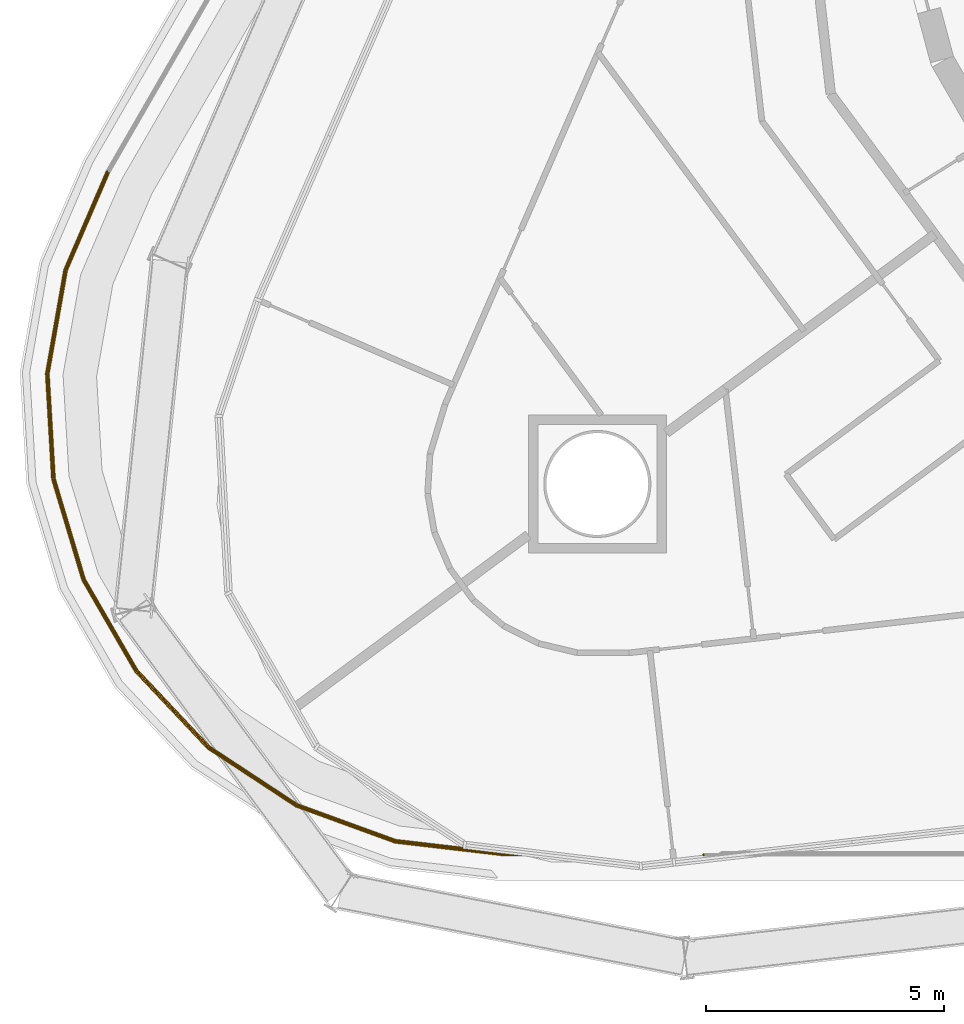
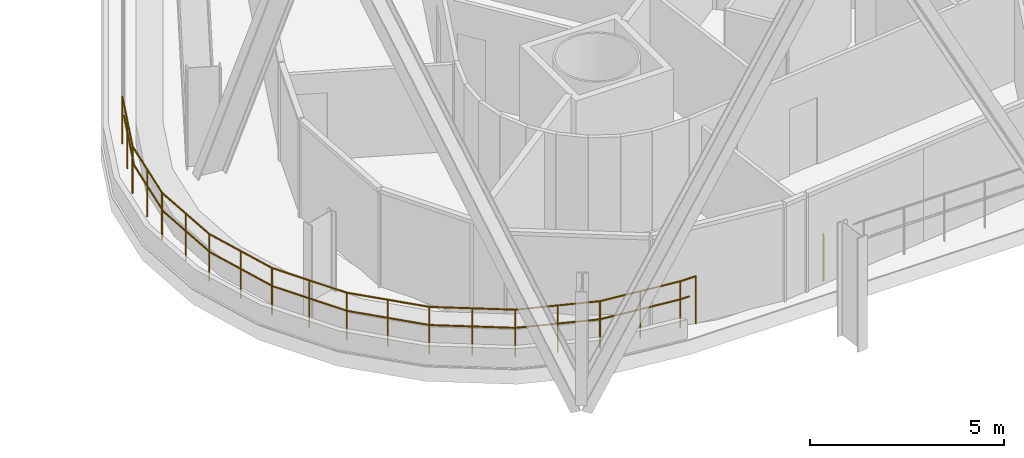
# One storey, part 23 of 32: 3 railings.
"""IFC4 building model written with IfcOpenShell, lengths in metres."""

from ifc_helpers import new_model, si_unit, direction, frame, origin, origin_2d, place, context, subcontext, project, spatial, circle, extrude, material, type_object, element, save


model = new_model("IFC4")

# Units and contexts
model_context = context("Model", 3, precision=1e-05, world=origin(), true_north=direction((0.0, 1.0)))
body_context = subcontext(model_context, "Body", "Model", "MODEL_VIEW")
ifc_project = project(units=[si_unit("LENGTHUNIT", "METRE"), si_unit("AREAUNIT", "SQUARE_METRE"), si_unit("VOLUMEUNIT", "CUBIC_METRE"), si_unit("PLANEANGLEUNIT", "RADIAN"), si_unit("MASSUNIT", "GRAM", prefix="KILO")], contexts=[model_context])

# Site, building, storey
site_placement = place(None, origin())
site = spatial("IfcSite", under=ifc_project, at=site_placement, CompositionType="ELEMENT")
building_placement = place(site_placement, origin())
building = spatial("IfcBuilding", under=site, at=building_placement, Name="Spindle Arch Residences", CompositionType="ELEMENT")
storey_placement = place(building_placement, frame((0.0, 0.0, 76.699951171875)))
storey = spatial("IfcBuildingStorey", under=building, at=storey_placement, Name="L17", CompositionType="ELEMENT", Elevation=76.699951171875)

# Railings
ifc_material_1 = material(Name="Bronze anodised aluminium guard with glass infill", Category="aluminium")
railing_type_1 = type_object("IfcRailingType", Name="Terrace guard 1500", PredefinedType="GUARDRAIL", material=ifc_material_1)
railing_1_placement = place(storey_placement, frame((-15.867431640625, -21.179931640625, 0.030029296875)))
element("IfcRailing", 1, at=railing_1_placement, inside=storey, type_object=railing_type_1, Name="Terrace guard L16 2", PredefinedType="GUARDRAIL", context=body_context, shape_type="SweptSolid", body=[
    extrude(circle(Radius=0.02392578125, at=origin_2d()), frame((0.0, 0.0, 1.47607421875), z_axis=(0.121054375311, -0.992645877551, 0.0), x_axis=(0.992645877551, 0.121054375311, 0.0)), (0.0, 0.0, 1.0), 0.010009765625),
    extrude(circle(Radius=0.02099609375, at=origin_2d()), origin(), (0.0, 0.0, 1.0), 1.451904296875),
    extrude(circle(Radius=0.02099609375, at=origin_2d()), frame((0.001220703125, -0.010009765625, 0.0)), (0.0, 0.0, 1.0), 1.451904296875),
])
railing_2_placement = place(storey_placement, frame((-19.658935546875, -21.189697265625, 0.030029296875)))
element("IfcRailing", 2, at=railing_2_placement, inside=storey, type_object=railing_type_1, Name="Terrace guard L16 3", PredefinedType="GUARDRAIL", context=body_context, shape_type="SweptSolid", body=[
    extrude(circle(Radius=0.02392578125, at=origin_2d()), frame((0.0, 0.0, 1.47607421875), z_axis=(0.242535625036, 0.970142500145, 0.0), x_axis=(-0.970142500145, 0.242535625036, 0.0)), (0.0, 0.0, 1.0), 0.010009765625),
    extrude(circle(Radius=0.02392578125, at=origin_2d()), frame((0.00244140625, 0.009765625, 1.47607421875), z_axis=(-1.0, 0.0, 0.0), x_axis=(0.0, -1.0, 0.0)), (0.0, 0.0, 1.0), 0.455078125),
    extrude(circle(Radius=0.02392578125, at=origin_2d()), frame((-0.45263671875, 0.009765625, 1.47607421875), z_axis=(-0.993242922767, 0.116053851179, 0.0), x_axis=(-0.116053851179, -0.993242922767, 0.0)), (0.0, 0.0, 1.0), 2.248779296875),
    extrude(circle(Radius=0.02392578125, at=origin_2d()), frame((-2.686279296875, 0.270751953125, 1.47607421875), z_axis=(-0.939658280141, 0.342114478738, 0.0), x_axis=(-0.342114478738, -0.939658280141, 0.0)), (0.0, 0.0, 1.0), 2.216552734375),
    extrude(circle(Radius=0.02392578125, at=origin_2d()), frame((-4.76904296875, 1.029052734375, 1.47607421875), z_axis=(-0.835524878478, 0.549452616196, 0.0), x_axis=(-0.549452616196, -0.835524878478, 0.0)), (0.0, 0.0, 1.0), 2.21630859375),
    extrude(circle(Radius=0.02392578125, at=origin_2d()), frame((-6.620849609375, 2.246826171875, 1.47607421875), z_axis=(-0.686209430892, 0.727404025941, 0.0), x_axis=(-0.727404025941, -0.686209430892, 0.0)), (0.0, 0.0, 1.0), 2.216552734375),
    extrude(circle(Radius=0.02392578125, at=origin_2d()), frame((-8.141845703125, 3.859130859375, 1.47607421875), z_axis=(-0.500024353964, 0.86601134256, 0.0), x_axis=(-0.86601134256, -0.500024353964, 0.0)), (0.0, 0.0, 1.0), 2.216796875),
    extrude(circle(Radius=0.02392578125, at=origin_2d()), frame((-9.250244140625, 5.77880859375, 1.47607421875), z_axis=(-0.286832459893, 0.957980761786, 0.0), x_axis=(-0.957980761786, -0.286832459893, 0.0)), (0.0, 0.0, 1.0), 2.21630859375),
    extrude(circle(Radius=0.02392578125, at=origin_2d()), frame((-9.885986328125, 7.902099609375, 1.47607421875), z_axis=(-0.058050457213, 0.998313650321, 0.0), x_axis=(-0.998313650321, -0.058050457213, 0.0)), (0.0, 0.0, 1.0), 2.21630859375),
    extrude(circle(Radius=0.02392578125, at=origin_2d()), frame((-10.0146484375, 10.11474609375, 1.47607421875), z_axis=(0.173590541613, 0.984817914065, 0.0), x_axis=(-0.984817914065, 0.173590541613, 0.0)), (0.0, 0.0, 1.0), 2.216552734375),
    extrude(circle(Radius=0.02392578125, at=origin_2d()), frame((-9.6298828125, 12.297607421875, 1.47607421875), z_axis=(0.39604085828, 0.918232889072, 0.0), x_axis=(-0.918232889072, 0.39604085828, 0.0)), (0.0, 0.0, 1.0), 2.248779296875),
    extrude(circle(Radius=0.02099609375, at=origin_2d()), origin(), (0.0, 0.0, 1.0), 1.451904296875),
    extrude(circle(Radius=0.02099609375, at=origin_2d()), frame((0.00244140625, 0.009765625, 0.0)), (0.0, 0.0, 1.0), 1.451904296875),
    extrude(circle(Radius=0.02099609375, at=origin_2d()), frame((-0.45263671875, 0.009765625, 0.0)), (0.0, 0.0, 1.0), 1.451904296875),
    extrude(circle(Radius=0.02099609375, at=origin_2d()), frame((-1.5693359375, 0.14013671875, 0.0)), (0.0, 0.0, 1.0), 1.451904296875),
    extrude(circle(Radius=0.02099609375, at=origin_2d()), frame((-2.686279296875, 0.270751953125, 0.0)), (0.0, 0.0, 1.0), 1.451904296875),
    extrude(circle(Radius=0.02099609375, at=origin_2d()), frame((-3.7275390625, 0.64990234375, 0.0)), (0.0, 0.0, 1.0), 1.451904296875),
    extrude(circle(Radius=0.02099609375, at=origin_2d()), frame((-4.76904296875, 1.029052734375, 0.0)), (0.0, 0.0, 1.0), 1.451904296875),
    extrude(circle(Radius=0.02099609375, at=origin_2d()), frame((-5.69482421875, 1.637939453125, 0.0)), (0.0, 0.0, 1.0), 1.451904296875),
    extrude(circle(Radius=0.02099609375, at=origin_2d()), frame((-6.620849609375, 2.246826171875, 0.0)), (0.0, 0.0, 1.0), 1.451904296875),
    extrude(circle(Radius=0.02099609375, at=origin_2d()), frame((-7.38134765625, 3.052978515625, 0.0)), (0.0, 0.0, 1.0), 1.451904296875),
    extrude(circle(Radius=0.02099609375, at=origin_2d()), frame((-8.141845703125, 3.859130859375, 0.0)), (0.0, 0.0, 1.0), 1.451904296875),
    extrude(circle(Radius=0.02099609375, at=origin_2d()), frame((-8.696044921875, 4.81884765625, 0.0)), (0.0, 0.0, 1.0), 1.451904296875),
    extrude(circle(Radius=0.02099609375, at=origin_2d()), frame((-9.250244140625, 5.77880859375, 0.0)), (0.0, 0.0, 1.0), 1.451904296875),
    extrude(circle(Radius=0.02099609375, at=origin_2d()), frame((-9.568115234375, 6.84033203125, 0.0)), (0.0, 0.0, 1.0), 1.451904296875),
    extrude(circle(Radius=0.02099609375, at=origin_2d()), frame((-9.885986328125, 7.902099609375, 0.0)), (0.0, 0.0, 1.0), 1.451904296875),
    extrude(circle(Radius=0.02099609375, at=origin_2d()), frame((-9.9501953125, 9.00830078125, 0.0)), (0.0, 0.0, 1.0), 1.451904296875),
    extrude(circle(Radius=0.02099609375, at=origin_2d()), frame((-10.0146484375, 10.11474609375, 0.0)), (0.0, 0.0, 1.0), 1.451904296875),
    extrude(circle(Radius=0.02099609375, at=origin_2d()), frame((-9.822265625, 11.2060546875, 0.0)), (0.0, 0.0, 1.0), 1.451904296875),
    extrude(circle(Radius=0.02099609375, at=origin_2d()), frame((-9.6298828125, 12.297607421875, 0.0)), (0.0, 0.0, 1.0), 1.451904296875),
    extrude(circle(Radius=0.02099609375, at=origin_2d()), frame((-9.1845703125, 13.330078125, 0.0)), (0.0, 0.0, 1.0), 1.451904296875),
    extrude(circle(Radius=0.02099609375, at=origin_2d()), frame((-8.7392578125, 14.362548828125, 0.0)), (0.0, 0.0, 1.0), 1.451904296875),
])
ifc_material_2 = material(Name="Bronze anodised aluminium handrail", Category="aluminium")
railing_type_2 = type_object("IfcRailingType", Name="Terrace handrail 900", PredefinedType="HANDRAIL", material=ifc_material_2)
railing_3_placement = place(storey_placement, frame((-19.833740234375, -21.147705078125, 0.030029296875)))
element("IfcRailing", 3, at=railing_3_placement, inside=storey, type_object=railing_type_2, Name="Terrace handrail L16 3", PredefinedType="HANDRAIL", context=body_context, shape_type="SweptSolid", body=[
    extrude(circle(Radius=0.02392578125, at=origin_2d()), frame((0.0, 0.0, 0.8759765625), z_axis=(0.219512195122, 0.975609756098, 0.0), x_axis=(-0.975609756098, 0.219512195122, 0.0)), (0.0, 0.0, 1.0), 0.010009765625),
    extrude(circle(Radius=0.02392578125, at=origin_2d()), frame((0.002197265625, 0.009765625, 0.8759765625), z_axis=(-1.0, 0.0, 0.0), x_axis=(0.0, -1.0, 0.0)), (0.0, 0.0, 1.0), 0.277587890625),
    extrude(circle(Radius=0.02392578125, at=origin_2d()), frame((-0.275390625, 0.009765625, 0.8759765625), z_axis=(-0.993236577172, 0.116108146865, 0.0), x_axis=(-0.116108146865, -0.993236577172, 0.0)), (0.0, 0.0, 1.0), 2.241455078125),
    extrude(circle(Radius=0.02392578125, at=origin_2d()), frame((-2.501708984375, 0.27001953125, 0.8759765625), z_axis=(-0.939699704184, 0.342000681224, 0.0), x_axis=(-0.342000681224, -0.939699704184, 0.0)), (0.0, 0.0, 1.0), 2.20654296875),
    extrude(circle(Radius=0.02392578125, at=origin_2d()), frame((-4.5751953125, 1.024658203125, 0.8759765625), z_axis=(-0.835489260904, 0.54950677422, 0.0), x_axis=(-0.54950677422, -0.835489260904, 0.0)), (0.0, 0.0, 1.0), 2.206787109375),
    extrude(circle(Radius=0.02392578125, at=origin_2d()), frame((-6.4189453125, 2.2373046875, 0.8759765625), z_axis=(-0.686171827527, 0.727439497902, 0.0), x_axis=(-0.727439497902, -0.686171827527, 0.0)), (0.0, 0.0, 1.0), 2.206787109375),
    extrude(circle(Radius=0.02392578125, at=origin_2d()), frame((-7.93310546875, 3.842529296875, 0.8759765625), z_axis=(-0.500089568931, 0.865973684962, 0.0), x_axis=(-0.865973684962, -0.500089568931, 0.0)), (0.0, 0.0, 1.0), 2.20654296875),
    extrude(circle(Radius=0.02392578125, at=origin_2d()), frame((-9.03662109375, 5.75341796875, 0.8759765625), z_axis=(-0.286769276375, 0.957999677519, 0.0), x_axis=(-0.957999677519, -0.286769276375, 0.0)), (0.0, 0.0, 1.0), 2.206787109375),
    extrude(circle(Radius=0.02392578125, at=origin_2d()), frame((-9.66943359375, 7.867431640625, 0.8759765625), z_axis=(-0.058196664359, 0.99830513785, 0.0), x_axis=(-0.99830513785, -0.058196664359, 0.0)), (0.0, 0.0, 1.0), 2.20654296875),
    extrude(circle(Radius=0.02392578125, at=origin_2d()), frame((-9.7978515625, 10.0703125, 0.8759765625), z_axis=(0.173684358034, 0.984801372752, 0.0), x_axis=(-0.984801372752, 0.173684358034, 0.0)), (0.0, 0.0, 1.0), 2.206787109375),
    extrude(circle(Radius=0.02392578125, at=origin_2d()), frame((-9.41455078125, 12.24365234375, 0.8759765625), z_axis=(0.396047894447, 0.918229854287, 0.0), x_axis=(-0.918229854287, 0.396047894447, 0.0)), (0.0, 0.0, 1.0), 2.241455078125),
])

save(model, "model.ifc")
